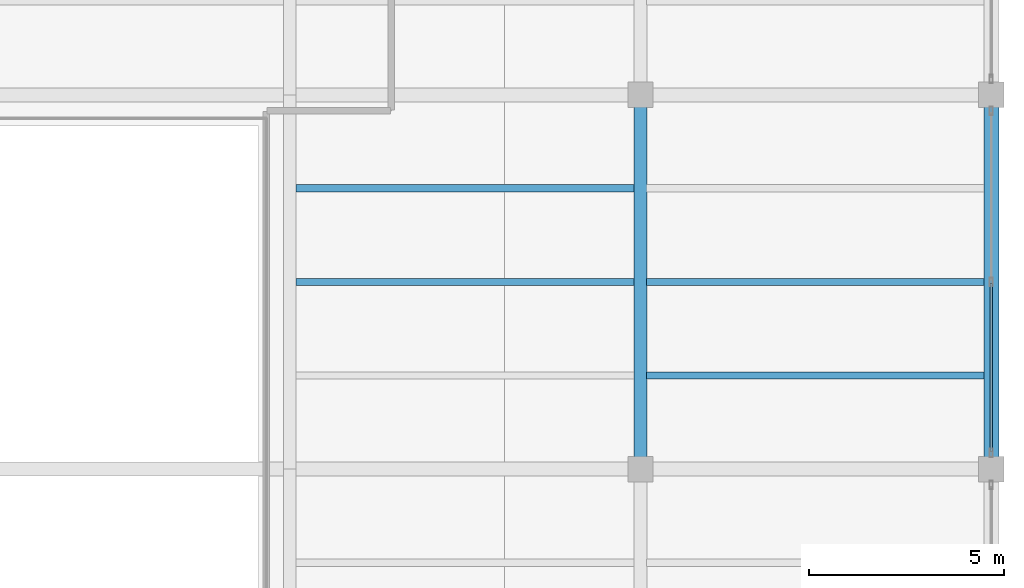
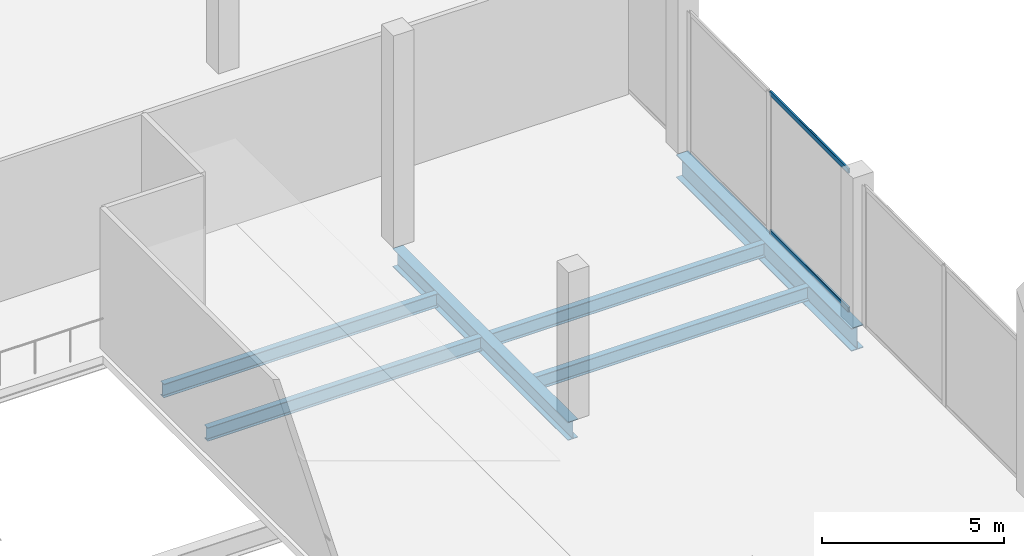
# One storey, part 19 of 43: 6 beams, 2 members, 1 element without a shape of its own.
"""IFC4 building model written with IfcOpenShell, lengths in metres."""

from ifc_helpers import new_model, si_unit, direction, frame, origin, origin_2d, place, context, subcontext, project, spatial, hollow_rectangle, i_section, extrude, material, layer, layer_set, material_profile, profile_set, type_object, element, aggregate, save


model = new_model("IFC4")

# Units and contexts
model_context = context("Model", 3, precision=1e-05, world=origin(), true_north=direction((0.0, 1.0)))
body_context = subcontext(model_context, "Body", "Model", "MODEL_VIEW")
ifc_project = project(units=[si_unit("LENGTHUNIT", "METRE"), si_unit("AREAUNIT", "SQUARE_METRE"), si_unit("VOLUMEUNIT", "CUBIC_METRE"), si_unit("PLANEANGLEUNIT", "RADIAN"), si_unit("MASSUNIT", "GRAM", prefix="KILO")], contexts=[model_context])

# Site, building, storey
site_placement = place(None, origin())
site = spatial("IfcSite", under=ifc_project, at=site_placement, CompositionType="ELEMENT")
building_placement = place(site_placement, origin())
building = spatial("IfcBuilding", under=site, at=building_placement, Name="Qorvath Tower", CompositionType="ELEMENT")
storey_placement = place(building_placement, frame((0.0, 0.0, 22.0)))
storey = spatial("IfcBuildingStorey", under=building, at=storey_placement, Name="L04", CompositionType="ELEMENT", Elevation=22.0)

# Beams
ifc_material_1 = material(Name="Steel ASTM A992 Grade 50", Category="steel")
ifc_material_profile_1 = material_profile(ifc_material_1, i_section(OverallWidth=0.381103515625, OverallDepth=0.77294921875, WebThickness=0.0166015625, FlangeThickness=0.027099609375, FilletRadius=0.01904296875, at=origin_2d()), Name="W30x173")
ifc_profile_set_1 = profile_set([ifc_material_profile_1], Name="Steel ASTM A992 Grade 50")
beam_type_1 = type_object("IfcBeamType", Name="BM-FG3", PredefinedType="BEAM", material=ifc_profile_set_1)
beam_1_placement = place(storey_placement, frame((77.39990234375, 0.0, -0.646484375), z_axis=(0.0, 1.0, 0.0), x_axis=(-1.0, 0.0, 0.0)))
element("IfcBeam", 1, at=beam_1_placement, inside=storey, type_object=beam_type_1, Name="Library N-S Girder L04-6-5", PredefinedType="BEAM", context=body_context, shape_type="SweptSolid", body=[
    extrude(i_section(OverallWidth=0.381103515625, OverallDepth=0.77294921875, WebThickness=0.0166015625, FlangeThickness=0.027099609375, FilletRadius=0.01904296875, at=origin_2d()), origin(), (0.0, 0.0, 1.0), 9.60009765625),
])
ifc_material_2 = material(Name="Steel ASTM A992 Grade 50", Category="steel")
ifc_material_profile_2 = material_profile(ifc_material_2, i_section(OverallWidth=0.324951171875, OverallDepth=0.615966796875, WebThickness=0.013916015625, FlangeThickness=0.021484375, FilletRadius=0.01611328125, at=origin_2d()), Name="W24x117")
ifc_profile_set_2 = profile_set([ifc_material_profile_2], Name="Steel ASTM A992 Grade 50")
beam_type_2 = type_object("IfcBeamType", Name="BM-FG5", PredefinedType="BEAM", material=ifc_profile_set_2)
beam_2_placement = place(storey_placement, frame((68.39990234375, 0.0, -0.568115234375), z_axis=(0.0, 1.0, 0.0), x_axis=(-1.0, 0.0, 0.0)))
element("IfcBeam", 2, at=beam_2_placement, inside=storey, type_object=beam_type_2, Name="Library N-S Girder L04-5-5", PredefinedType="BEAM", context=body_context, shape_type="SweptSolid", body=[
    extrude(i_section(OverallWidth=0.324951171875, OverallDepth=0.615966796875, WebThickness=0.013916015625, FlangeThickness=0.021484375, FilletRadius=0.01611328125, at=origin_2d()), origin(), (0.0, 0.0, 1.0), 9.60009765625),
])
ifc_material_3 = material(Name="Steel ASTM A992 Grade 50", Category="steel")
ifc_material_profile_3 = material_profile(ifc_material_3, i_section(OverallWidth=0.18994140625, OverallDepth=0.45703125, WebThickness=0.009033203125, FlangeThickness=0.014404296875, FilletRadius=0.011962890625, at=origin_2d()), Name="W18x50")
ifc_profile_set_3 = profile_set([ifc_material_profile_3], Name="Steel ASTM A992 Grade 50")
beam_type_3 = type_object("IfcBeamType", Name="BM-FJ2", PredefinedType="JOIST", material=ifc_profile_set_3)
beam_3_placement = place(storey_placement, frame((68.560546875, 2.39990234375, -0.488525390625), z_axis=(1.0, 0.0, 0.0), x_axis=(0.0, 1.0, 0.0)))
element("IfcBeam", 3, at=beam_3_placement, inside=storey, type_object=beam_type_3, Name="Library Stack Joist L04-5.1-5", PredefinedType="JOIST", context=body_context, shape_type="SweptSolid", body=[
    extrude(i_section(OverallWidth=0.18994140625, OverallDepth=0.45703125, WebThickness=0.009033203125, FlangeThickness=0.014404296875, FilletRadius=0.011962890625, at=origin_2d()), origin(), (0.0, 0.0, 1.0), 8.65087890625),
])
beam_4_placement = place(storey_placement, frame((59.560546875, 4.800048828125, -0.488525390625), z_axis=(1.0, 0.0, 0.0), x_axis=(0.0, 1.0, 0.0)))
element("IfcBeam", 4, at=beam_4_placement, inside=storey, type_object=beam_type_3, Name="Library Stack Joist L04-5.2-4", PredefinedType="JOIST", context=body_context, shape_type="SweptSolid", body=[
    extrude(i_section(OverallWidth=0.18994140625, OverallDepth=0.45703125, WebThickness=0.009033203125, FlangeThickness=0.014404296875, FilletRadius=0.011962890625, at=origin_2d()), origin(), (0.0, 0.0, 1.0), 8.678955078125),
])
beam_5_placement = place(storey_placement, frame((68.560546875, 4.800048828125, -0.488525390625), z_axis=(1.0, 0.0, 0.0), x_axis=(0.0, 1.0, 0.0)))
element("IfcBeam", 5, at=beam_5_placement, inside=storey, type_object=beam_type_3, Name="Library Stack Joist L04-5.2-5", PredefinedType="JOIST", context=body_context, shape_type="SweptSolid", body=[
    extrude(i_section(OverallWidth=0.18994140625, OverallDepth=0.45703125, WebThickness=0.009033203125, FlangeThickness=0.014404296875, FilletRadius=0.011962890625, at=origin_2d()), origin(), (0.0, 0.0, 1.0), 8.65087890625),
])
beam_6_placement = place(storey_placement, frame((59.560546875, 7.199951171875, -0.488525390625), z_axis=(1.0, 0.0, 0.0), x_axis=(0.0, 1.0, 0.0)))
element("IfcBeam", 6, at=beam_6_placement, inside=storey, type_object=beam_type_3, Name="Library Stack Joist L04-5.3-4", PredefinedType="JOIST", context=body_context, shape_type="SweptSolid", body=[
    extrude(i_section(OverallWidth=0.18994140625, OverallDepth=0.45703125, WebThickness=0.009033203125, FlangeThickness=0.014404296875, FilletRadius=0.011962890625, at=origin_2d()), origin(), (0.0, 0.0, 1.0), 8.678955078125),
])

# Curtain wall, members
ifc_material_4 = material(Name="Anodised aluminium and triple low-E glass", Category="aluminium")
ifc_layer = layer(ifc_material_4, 0.179931640625)
ifc_layer_set = layer_set([ifc_layer], Name="CW-SYS-6")
curtain_wall_type = type_object("IfcCurtainWallType", Name="CW-SYS-6", PredefinedType="NOTDEFINED", material=ifc_layer_set)
curtain_wall_placement = place(storey_placement, origin())
curtain_wall = element("IfcCurtainWall", 7, at=curtain_wall_placement, inside=storey, type_object=curtain_wall_type, Name="Curtain Wall CW-6 CW-LIB-E-L04-5", PredefinedType="NOTDEFINED")
ifc_material_5 = material(Name="Anodised aluminium 6063-T6", Category="aluminium")
ifc_material_profile_4 = material_profile(ifc_material_5, hollow_rectangle(XDim=0.06494140625, YDim=0.159912109375, WallThickness=0.00341796875, InnerFilletRadius=0.00341796875, OuterFilletRadius=0.007080078125, at=origin_2d()), Name="CWT 160x65")
ifc_profile_set_4 = profile_set([ifc_material_profile_4], Name="Anodised aluminium 6063-T6")
member_type = type_object("IfcMemberType", Name="CWT-160", PredefinedType="USERDEFINED", material=ifc_profile_set_4)
member_1_placement = place(storey_placement, frame((77.39990234375, 0.4501953125, 0.032470703125), z_axis=(0.0, 1.0, 0.0), x_axis=(-1.0, 0.0, 0.0)))
member_1 = element("IfcMember", 8, at=member_1_placement, type_object=member_type, Name="CW-6 transom 1.1", ObjectType="TRANSOM", PredefinedType="USERDEFINED", context=body_context, shape_type="SweptSolid", body=[
    extrude(hollow_rectangle(XDim=0.06494140625, YDim=0.159912109375, WallThickness=0.00341796875, InnerFilletRadius=0.00341796875, OuterFilletRadius=0.007080078125, at=origin_2d()), origin(), (0.0, 0.0, 1.0), 4.309814453125),
])
member_2_placement = place(storey_placement, frame((77.39990234375, 0.4501953125, 4.66748046875), z_axis=(0.0, 1.0, 0.0), x_axis=(-1.0, 0.0, 0.0)))
member_2 = element("IfcMember", 9, at=member_2_placement, type_object=member_type, Name="CW-6 transom 1.2", ObjectType="TRANSOM", PredefinedType="USERDEFINED", context=body_context, shape_type="SweptSolid", body=[
    extrude(hollow_rectangle(XDim=0.06494140625, YDim=0.159912109375, WallThickness=0.00341796875, InnerFilletRadius=0.00341796875, OuterFilletRadius=0.007080078125, at=origin_2d()), origin(), (0.0, 0.0, 1.0), 4.309814453125),
])
aggregate(curtain_wall, [member_1, member_2])

save(model, "model.ifc")
